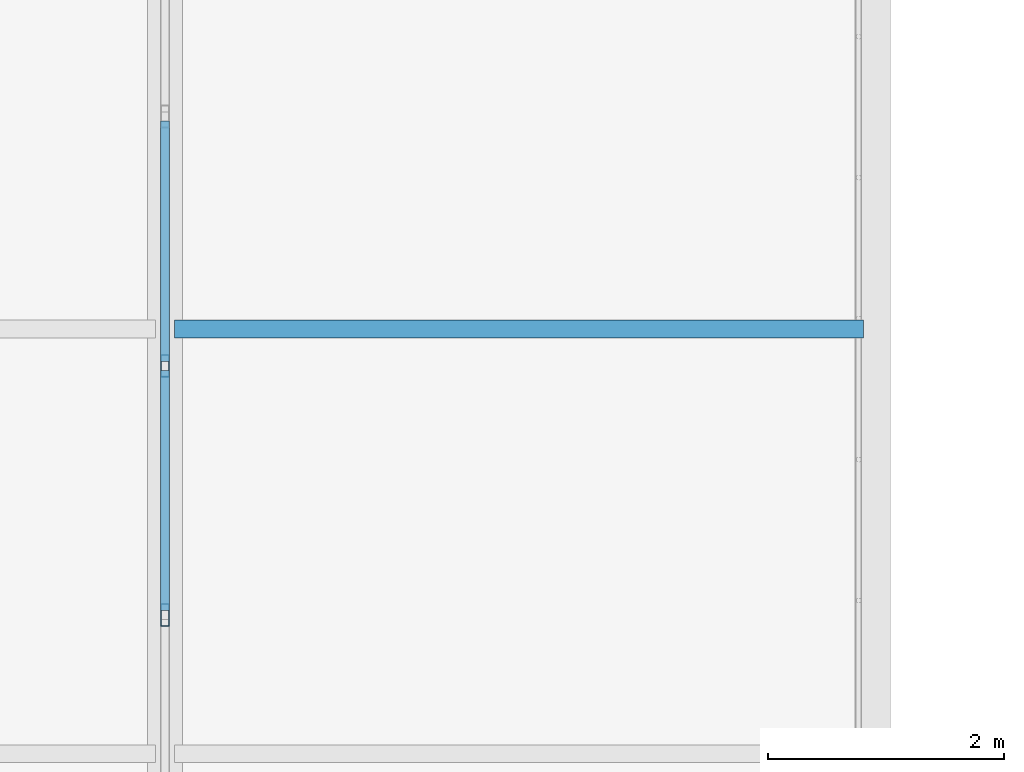
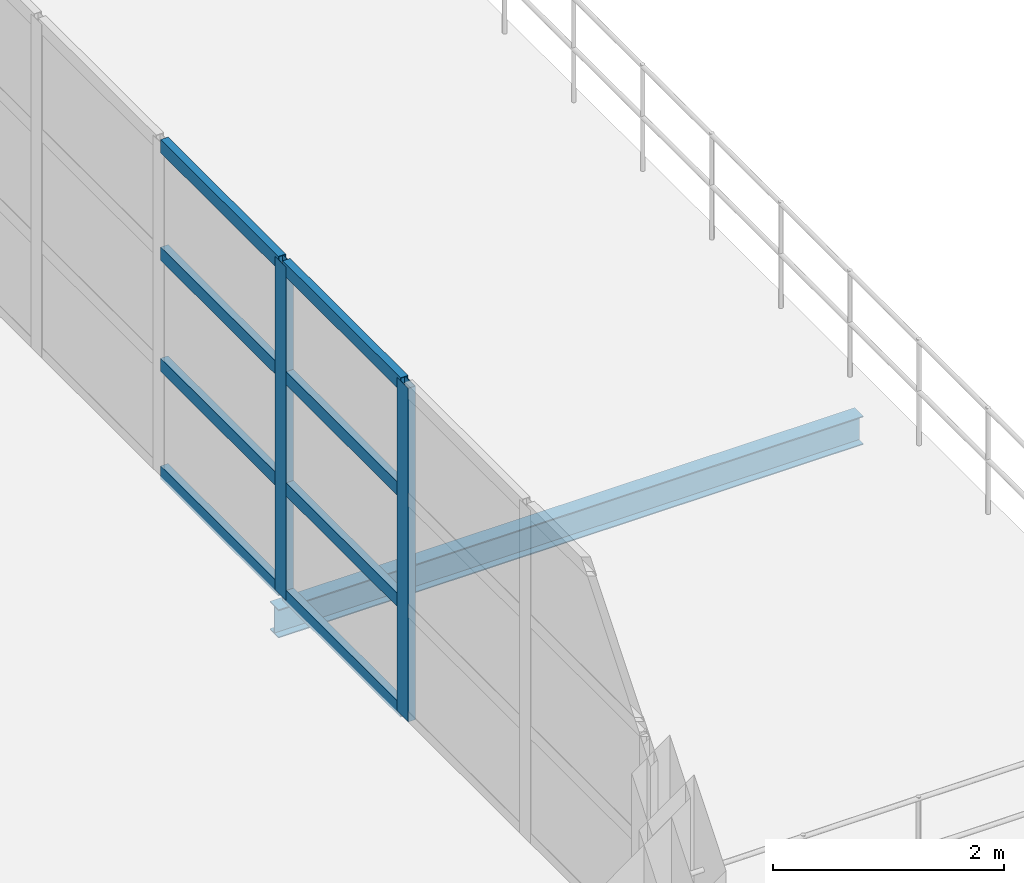
# One storey, part 11 of 86: 10 members, 1 beam, 1 element without a shape of its own.
"""IFC4 building model written with IfcOpenShell, lengths in metres."""

from ifc_helpers import new_model, si_unit, direction, frame, origin, origin_2d, place, context, subcontext, project, spatial, hollow_rectangle, i_section, extrude, material, layer, layer_set, material_profile, profile_set, type_object, element, aggregate, save


model = new_model("IFC4")

# Units and contexts
model_context = context("Model", 3, precision=1e-05, world=origin(), true_north=direction((0.0, 1.0)))
body_context = subcontext(model_context, "Body", "Model", "MODEL_VIEW")
ifc_project = project(units=[si_unit("LENGTHUNIT", "METRE"), si_unit("AREAUNIT", "SQUARE_METRE"), si_unit("VOLUMEUNIT", "CUBIC_METRE"), si_unit("PLANEANGLEUNIT", "RADIAN"), si_unit("MASSUNIT", "GRAM", prefix="KILO")], contexts=[model_context])

# Site, building, storey
site_placement = place(None, origin())
site = spatial("IfcSite", under=ifc_project, at=site_placement, CompositionType="ELEMENT")
building_placement = place(site_placement, origin())
building = spatial("IfcBuilding", under=site, at=building_placement, Name="Zilviju Railside Exhibition Hall", CompositionType="ELEMENT")
storey_placement = place(building_placement, frame((0.0, 0.0, 12.60009765625)))
storey = spatial("IfcBuildingStorey", under=building, at=storey_placement, Name="L04", CompositionType="ELEMENT", Elevation=12.60009765625)

# Beam
ifc_material_1 = material(Name="Steel S355J2", Category="steel")
ifc_material_profile_1 = material_profile(ifc_material_1, i_section(OverallWidth=0.14990234375, OverallDepth=0.300048828125, WebThickness=0.007080078125, FlangeThickness=0.0107421875, at=origin_2d()), Name="IPE 300")
ifc_profile_set_1 = profile_set([ifc_material_profile_1], Name="Steel S355J2")
beam_type = type_object("IfcBeamType", Name="BM-IPE300", PredefinedType="JOIST", material=ifc_profile_set_1)
beam_placement = place(storey_placement, frame((42.080078125, 91.199951171875, -0.489990234375), z_axis=(1.0, 0.0, 0.0), x_axis=(0.0, 1.0, 0.0)))
element("IfcBeam", 1, at=beam_placement, inside=storey, type_object=beam_type, Name="Composite Floor Joist L04 Y=91.20 (42.0..48.0)", PredefinedType="JOIST", context=body_context, shape_type="SweptSolid", body=[
    extrude(i_section(OverallWidth=0.14990234375, OverallDepth=0.300048828125, WebThickness=0.007080078125, FlangeThickness=0.0107421875, at=origin_2d()), origin(), (0.0, 0.0, 1.0), 5.83984375),
])

# Curtain wall, members
ifc_material_2 = material(Name="Thermally broken aluminium-steel triple-glazed curtain wall", Category="steel")
ifc_layer = layer(ifc_material_2, 0.179931640625)
ifc_layer_set = layer_set([ifc_layer], Name="Thermally broken aluminium-steel triple-glazed curtain wall")
curtain_wall_type = type_object("IfcCurtainWallType", Name="CW-BAY-07", PredefinedType="USERDEFINED", material=ifc_layer_set)
curtain_wall_placement = place(storey_placement, origin())
curtain_wall = element("IfcCurtainWall", 2, at=curtain_wall_placement, inside=storey, type_object=curtain_wall_type, Name="Organisers L04 Terrace Lounge Curtain Wall", ObjectType="GLAZED CURTAIN WALL", PredefinedType="USERDEFINED")
ifc_material_3 = material(Name="Thermally broken anodized aluminium mullion", Category="aluminium")
ifc_material_profile_2 = material_profile(ifc_material_3, hollow_rectangle(XDim=0.074951171875, YDim=0.18994140625, WallThickness=0.0048828125, at=origin_2d()), Name="MULLION 190x75x5")
ifc_profile_set_2 = profile_set([ifc_material_profile_2], Name="Thermally broken anodized aluminium mullion")
member_type_1 = type_object("IfcMemberType", Name="CWM-75x190", PredefinedType="MULLION", material=ifc_profile_set_2)
member_1_placement = place(storey_placement, frame((42.0, 90.887451171875, 0.0), z_axis=(0.0, 0.0, 1.0), x_axis=(1.0, 0.0, 0.0)))
member_1 = element("IfcMember", 3, at=member_1_placement, type_object=member_type_1, Name="CW-07 mullion 6", PredefinedType="MULLION", context=body_context, shape_type="SweptSolid", body=[
    extrude(hollow_rectangle(XDim=0.074951171875, YDim=0.18994140625, WallThickness=0.0048828125, at=origin_2d()), origin(), (0.0, 0.0, 1.0), 3.52001953125),
])
member_2_placement = place(storey_placement, frame((42.0, 88.77490234375, 0.0), z_axis=(0.0, 0.0, 1.0), x_axis=(1.0, 0.0, 0.0)))
member_2 = element("IfcMember", 4, at=member_2_placement, type_object=member_type_1, Name="CW-07 mullion 7", PredefinedType="MULLION", context=body_context, shape_type="SweptSolid", body=[
    extrude(hollow_rectangle(XDim=0.074951171875, YDim=0.18994140625, WallThickness=0.0048828125, at=origin_2d()), origin(), (0.0, 0.0, 1.0), 3.52001953125),
])
ifc_material_4 = material(Name="Thermally broken anodized aluminium transom", Category="aluminium")
ifc_material_profile_3 = material_profile(ifc_material_4, hollow_rectangle(XDim=0.074951171875, YDim=0.139892578125, WallThickness=0.0048828125, at=origin_2d()), Name="TRANSOM 140x75x5")
ifc_profile_set_3 = profile_set([ifc_material_profile_3], Name="Thermally broken anodized aluminium transom")
member_type_2 = type_object("IfcMemberType", Name="CWT-75x140", PredefinedType="USERDEFINED", material=ifc_profile_set_3)
member_3_placement = place(storey_placement, frame((42.0, 92.96240234375, 0.037353515625), z_axis=(0.0, -1.0, 0.0), x_axis=(1.0, 0.0, 0.0)))
member_3 = element("IfcMember", 5, at=member_3_placement, type_object=member_type_2, Name="CW-07 transom 5.1", ObjectType="TRANSOM", PredefinedType="USERDEFINED", context=body_context, shape_type="SweptSolid", body=[
    extrude(hollow_rectangle(XDim=0.074951171875, YDim=0.139892578125, WallThickness=0.0048828125, at=origin_2d()), origin(), (0.0, 0.0, 1.0), 2.037353515625),
])
member_4_placement = place(storey_placement, frame((42.0, 92.96240234375, 1.1728515625), z_axis=(0.0, -1.0, 0.0), x_axis=(1.0, 0.0, 0.0)))
member_4 = element("IfcMember", 6, at=member_4_placement, type_object=member_type_2, Name="CW-07 transom 5.2", ObjectType="TRANSOM", PredefinedType="USERDEFINED", context=body_context, shape_type="SweptSolid", body=[
    extrude(hollow_rectangle(XDim=0.074951171875, YDim=0.139892578125, WallThickness=0.0048828125, at=origin_2d()), origin(), (0.0, 0.0, 1.0), 2.037353515625),
])
member_5_placement = place(storey_placement, frame((42.0, 92.96240234375, 2.346923828125), z_axis=(0.0, -1.0, 0.0), x_axis=(1.0, 0.0, 0.0)))
member_5 = element("IfcMember", 7, at=member_5_placement, type_object=member_type_2, Name="CW-07 transom 5.3", ObjectType="TRANSOM", PredefinedType="USERDEFINED", context=body_context, shape_type="SweptSolid", body=[
    extrude(hollow_rectangle(XDim=0.074951171875, YDim=0.139892578125, WallThickness=0.0048828125, at=origin_2d()), origin(), (0.0, 0.0, 1.0), 2.037353515625),
])
member_6_placement = place(storey_placement, frame((42.0, 92.96240234375, 3.482421875), z_axis=(0.0, -1.0, 0.0), x_axis=(1.0, 0.0, 0.0)))
member_6 = element("IfcMember", 8, at=member_6_placement, type_object=member_type_2, Name="CW-07 transom 5.4", ObjectType="TRANSOM", PredefinedType="USERDEFINED", context=body_context, shape_type="SweptSolid", body=[
    extrude(hollow_rectangle(XDim=0.074951171875, YDim=0.139892578125, WallThickness=0.0048828125, at=origin_2d()), origin(), (0.0, 0.0, 1.0), 2.037353515625),
])
member_7_placement = place(storey_placement, frame((42.0, 90.85009765625, 0.037353515625), z_axis=(0.0, -1.0, 0.0), x_axis=(1.0, 0.0, 0.0)))
member_7 = element("IfcMember", 9, at=member_7_placement, type_object=member_type_2, Name="CW-07 transom 6.1", ObjectType="TRANSOM", PredefinedType="USERDEFINED", context=body_context, shape_type="SweptSolid", body=[
    extrude(hollow_rectangle(XDim=0.074951171875, YDim=0.139892578125, WallThickness=0.0048828125, at=origin_2d()), origin(), (0.0, 0.0, 1.0), 2.03759765625),
])
member_8_placement = place(storey_placement, frame((42.0, 90.85009765625, 1.1728515625), z_axis=(0.0, -1.0, 0.0), x_axis=(1.0, 0.0, 0.0)))
member_8 = element("IfcMember", 10, at=member_8_placement, type_object=member_type_2, Name="CW-07 transom 6.2", ObjectType="TRANSOM", PredefinedType="USERDEFINED", context=body_context, shape_type="SweptSolid", body=[
    extrude(hollow_rectangle(XDim=0.074951171875, YDim=0.139892578125, WallThickness=0.0048828125, at=origin_2d()), origin(), (0.0, 0.0, 1.0), 2.03759765625),
])
member_9_placement = place(storey_placement, frame((42.0, 90.85009765625, 2.346923828125), z_axis=(0.0, -1.0, 0.0), x_axis=(1.0, 0.0, 0.0)))
member_9 = element("IfcMember", 11, at=member_9_placement, type_object=member_type_2, Name="CW-07 transom 6.3", ObjectType="TRANSOM", PredefinedType="USERDEFINED", context=body_context, shape_type="SweptSolid", body=[
    extrude(hollow_rectangle(XDim=0.074951171875, YDim=0.139892578125, WallThickness=0.0048828125, at=origin_2d()), origin(), (0.0, 0.0, 1.0), 2.03759765625),
])
member_10_placement = place(storey_placement, frame((42.0, 90.85009765625, 3.482421875), z_axis=(0.0, -1.0, 0.0), x_axis=(1.0, 0.0, 0.0)))
member_10 = element("IfcMember", 12, at=member_10_placement, type_object=member_type_2, Name="CW-07 transom 6.4", ObjectType="TRANSOM", PredefinedType="USERDEFINED", context=body_context, shape_type="SweptSolid", body=[
    extrude(hollow_rectangle(XDim=0.074951171875, YDim=0.139892578125, WallThickness=0.0048828125, at=origin_2d()), origin(), (0.0, 0.0, 1.0), 2.03759765625),
])
aggregate(curtain_wall, [member_1, member_2, member_3, member_4, member_5, member_6, member_7, member_8, member_9, member_10])

save(model, "model.ifc")
